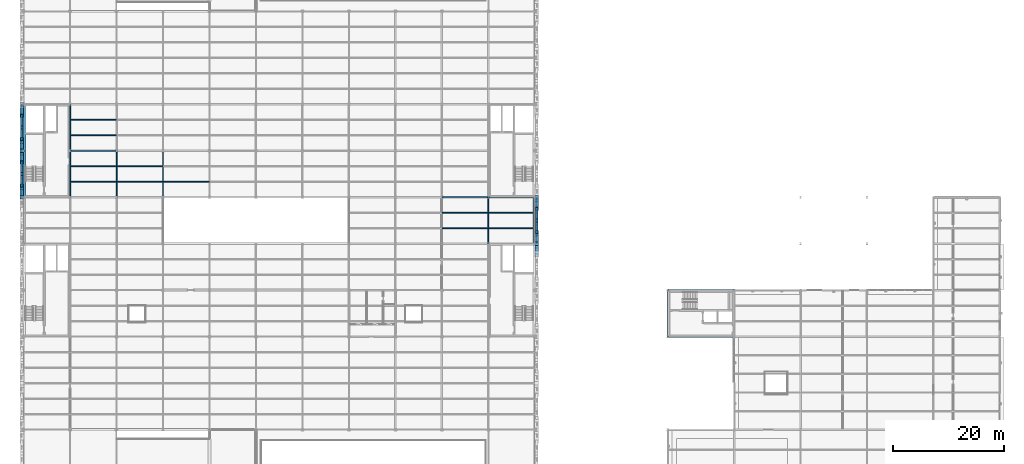
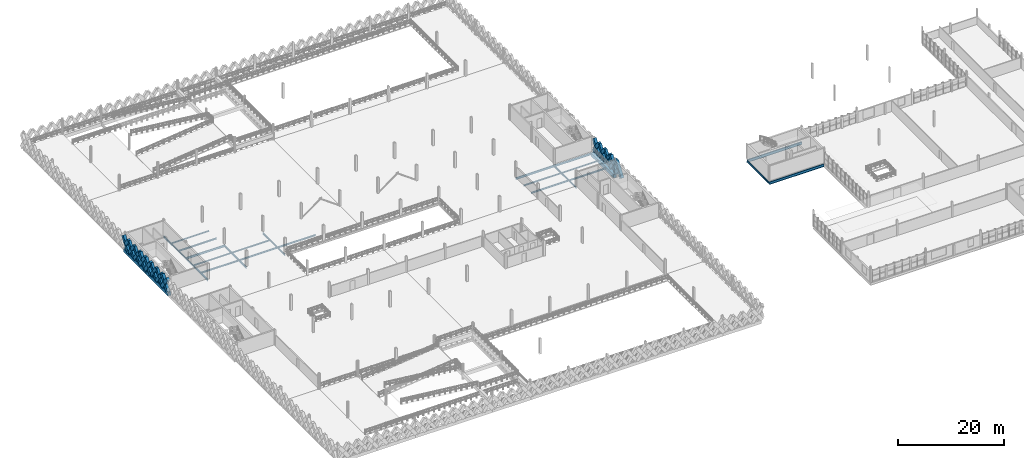
# One storey, part 27 of 79: 40 members, 25 beams.
"""IFC4 building model written with IfcOpenShell, lengths in metres."""

from ifc_helpers import new_model, si_unit, direction, frame, origin, origin_2d, place, context, subcontext, project, spatial, rectangle, hollow_rectangle, i_section, extrude, material, material_profile, profile_set, type_object, element, save


model = new_model("IFC4")

# Units and contexts
model_context = context("Model", 3, precision=1e-05, world=origin(), true_north=direction((0.0, 1.0)))
body_context = subcontext(model_context, "Body", "Model", "MODEL_VIEW")
ifc_project = project(units=[si_unit("LENGTHUNIT", "METRE"), si_unit("AREAUNIT", "SQUARE_METRE"), si_unit("VOLUMEUNIT", "CUBIC_METRE"), si_unit("PLANEANGLEUNIT", "RADIAN"), si_unit("MASSUNIT", "GRAM", prefix="KILO"), si_unit("THERMODYNAMICTEMPERATUREUNIT", "KELVIN"), si_unit("POWERUNIT", "WATT")], contexts=[model_context])

# Site, building, storey
site_placement = place(None, origin())
site = spatial("IfcSite", under=ifc_project, at=site_placement, CompositionType="ELEMENT")
building_placement = place(site_placement, origin())
building = spatial("IfcBuilding", under=site, at=building_placement, Name="Tembeka Court Mobility Hub", CompositionType="ELEMENT")
storey_placement = place(building_placement, frame((0.0, 0.0, 9.0)))
storey = spatial("IfcBuildingStorey", under=building, at=storey_placement, Name="L02", CompositionType="ELEMENT", Elevation=9.0)

# Beams
ifc_material_1 = material(Name="Steel S355", Category="steel")
ifc_material_profile_1 = material_profile(ifc_material_1, i_section(OverallWidth=0.18994140625, OverallDepth=0.45703125, WebThickness=0.009033203125, FlangeThickness=0.014404296875, FilletRadius=0.01025390625, at=origin_2d()), Name="UKB 457x191x74")
ifc_profile_set_1 = profile_set([ifc_material_profile_1], Name="Steel S355")
beam_type_1 = type_object("IfcBeamType", Name="BM-B01", PredefinedType="BEAM", material=ifc_profile_set_1)
for number, where, z_axis, x_axis, name in (
    (1, (75.60009765625, 63.60009765625, -0.448486328125), (1.0, 0.0, 0.0), (0.0, 1.0, 0.0), "Beam B01 (BM-L02-X1260)"),
    (2, (84.0, 63.60009765625, -0.448486328125), (1.0, 0.0, 0.0), (0.0, 1.0, 0.0), "Beam B01 (BM-L02-X1261)"),
):
    element("IfcBeam", number, at=place(storey_placement, frame(where, z_axis=z_axis, x_axis=x_axis)), inside=storey, type_object=beam_type_1, Name=name, PredefinedType="BEAM", context=body_context, shape_type="SweptSolid", body=[
        extrude(i_section(OverallWidth=0.18994140625, OverallDepth=0.45703125, WebThickness=0.009033203125, FlangeThickness=0.014404296875, FilletRadius=0.01025390625, at=origin_2d()), origin(), (0.0, 0.0, 1.0), 8.39990234375),
    ])
beam_1_placement = place(storey_placement, frame((8.39990234375, 72.0, -0.448486328125), z_axis=(1.0, 0.0, 0.0), x_axis=(0.0, 1.0, 0.0)))
element("IfcBeam", 3, at=beam_1_placement, inside=storey, type_object=beam_type_1, Name="Beam B01 (BM-L02-X1263)", PredefinedType="BEAM", context=body_context, shape_type="SweptSolid", body=[
    extrude(i_section(OverallWidth=0.18994140625, OverallDepth=0.45703125, WebThickness=0.009033203125, FlangeThickness=0.014404296875, FilletRadius=0.01025390625, at=origin_2d()), origin(), (0.0, 0.0, 1.0), 8.400146484375),
])
ifc_material_profile_2 = material_profile(ifc_material_1, i_section(OverallWidth=0.177978515625, OverallDepth=0.406005859375, WebThickness=0.0078125, FlangeThickness=0.0126953125, FilletRadius=0.01025390625, at=origin_2d()), Name="UKB 406x178x60")
ifc_profile_set_2 = profile_set([ifc_material_profile_2], Name="Steel S355")
beam_type_2 = type_object("IfcBeamType", Name="BM-B02", PredefinedType="BEAM", material=ifc_profile_set_2)
for number, where, z_axis, x_axis, name in (
    (4, (8.39990234375, 63.60009765625, -0.423095703125), (0.0, 1.0, 0.0), (-1.0, 0.0, 0.0), "Beam B02 (BM-L02-Y1324)"),
    (5, (8.39990234375, 72.0, -0.423095703125), (0.0, 1.0, 0.0), (-1.0, 0.0, 0.0), "Beam B02 (BM-L02-Y1325)"),
    (6, (16.800048828125, 63.60009765625, -0.423095703125), (0.0, 1.0, 0.0), (-1.0, 0.0, 0.0), "Beam B02 (BM-L02-Y1335)"),
    (7, (25.199951171875, 63.60009765625, -0.423095703125), (0.0, 1.0, 0.0), (-1.0, 0.0, 0.0), "Beam B02 (BM-L02-Y1344)"),
):
    element("IfcBeam", number, at=place(storey_placement, frame(where, z_axis=z_axis, x_axis=x_axis)), inside=storey, type_object=beam_type_2, Name=name, PredefinedType="BEAM", context=body_context, shape_type="SweptSolid", body=[
        extrude(i_section(OverallWidth=0.177978515625, OverallDepth=0.406005859375, WebThickness=0.0078125, FlangeThickness=0.0126953125, FilletRadius=0.01025390625, at=origin_2d()), origin(), (0.0, 0.0, 1.0), 8.39990234375),
    ])
for number, where, z_axis, x_axis, name in (
    (8, (84.0, 55.199951171875, -0.423095703125), (0.0, 1.0, 0.0), (-1.0, 0.0, 0.0), "Beam B02 (BM-L02-Y1395)"),
    (9, (116.39990234375, 38.39990234375, -0.39306640625), (0.0, 1.0, 0.0), (-1.0, 0.0, 0.0), "Beam B02 (BM-L02-Y1414)"),
):
    element("IfcBeam", number, at=place(storey_placement, frame(where, z_axis=z_axis, x_axis=x_axis)), inside=storey, type_object=beam_type_2, Name=name, PredefinedType="BEAM", context=body_context, shape_type="SweptSolid", body=[
        extrude(i_section(OverallWidth=0.177978515625, OverallDepth=0.406005859375, WebThickness=0.0078125, FlangeThickness=0.0126953125, FilletRadius=0.01025390625, at=origin_2d()), origin(), (0.0, 0.0, 1.0), 8.400146484375),
    ])
ifc_material_profile_3 = material_profile(ifc_material_1, i_section(OverallWidth=0.22900390625, OverallDepth=0.612060546875, WebThickness=0.011962890625, FlangeThickness=0.01953125, FilletRadius=0.0126953125, at=origin_2d()), Name="UKB 610x229x125")
ifc_profile_set_3 = profile_set([ifc_material_profile_3], Name="Steel S355")
beam_type_3 = type_object("IfcBeamType", Name="BM-G02", PredefinedType="USERDEFINED", material=ifc_profile_set_3)
for number, where, z_axis, x_axis, name in (
    (10, (116.39990234375, 38.39990234375, -0.49609375), (1.0, 0.0, 0.0), (0.0, 1.0, 0.0), "Beam G02 (BM-L02-X1220)"),
    (11, (116.39990234375, 46.800048828125, -0.49609375), (1.0, 0.0, 0.0), (0.0, 1.0, 0.0), "Beam G02 (BM-L02-X1234)"),
):
    element("IfcBeam", number, at=place(storey_placement, frame(where, z_axis=z_axis, x_axis=x_axis)), inside=storey, type_object=beam_type_3, Name=name, ObjectType="GIRDER", PredefinedType="USERDEFINED", context=body_context, shape_type="SweptSolid", body=[
        extrude(i_section(OverallWidth=0.22900390625, OverallDepth=0.612060546875, WebThickness=0.011962890625, FlangeThickness=0.01953125, FilletRadius=0.0126953125, at=origin_2d()), origin(), (0.0, 0.0, 1.0), 12.0),
    ])
ifc_material_profile_4 = material_profile(ifc_material_1, i_section(OverallWidth=0.1650390625, OverallDepth=0.303955078125, WebThickness=0.006103515625, FlangeThickness=0.01025390625, FilletRadius=0.0087890625, at=origin_2d()), Name="UKB 305x165x40")
ifc_profile_set_4 = profile_set([ifc_material_profile_4], Name="Steel S355")
beam_type_4 = type_object("IfcBeamType", Name="BM-J02", PredefinedType="JOIST", material=ifc_profile_set_4)
for number, where, z_axis, x_axis, name in (
    (12, (8.48388671875, 69.199951171875, -0.3720703125), (1.0, 0.0, 0.0), (0.0, 1.0, 0.0), "Beam J02 (JST-L02-1463)"),
    (13, (8.48388671875, 77.60009765625, -0.3720703125), (1.0, 0.0, 0.0), (0.0, 1.0, 0.0), "Beam J02 (JST-L02-1465)"),
):
    element("IfcBeam", number, at=place(storey_placement, frame(where, z_axis=z_axis, x_axis=x_axis)), inside=storey, type_object=beam_type_4, Name=name, PredefinedType="JOIST", context=body_context, shape_type="SweptSolid", body=[
        extrude(i_section(OverallWidth=0.1650390625, OverallDepth=0.303955078125, WebThickness=0.006103515625, FlangeThickness=0.01025390625, FilletRadius=0.0087890625, at=origin_2d()), origin(), (0.0, 0.0, 1.0), 8.232177734375),
    ])
for number, where, z_axis, x_axis, name in (
    (14, (16.884033203125, 69.199951171875, -0.3720703125), (1.0, 0.0, 0.0), (0.0, 1.0, 0.0), "Beam J02 (JST-L02-1483)"),
    (15, (75.68408203125, 60.800048828125, -0.3720703125), (1.0, 0.0, 0.0), (0.0, 1.0, 0.0), "Beam J02 (JST-L02-1613)"),
):
    element("IfcBeam", number, at=place(storey_placement, frame(where, z_axis=z_axis, x_axis=x_axis)), inside=storey, type_object=beam_type_4, Name=name, PredefinedType="JOIST", context=body_context, shape_type="SweptSolid", body=[
        extrude(i_section(OverallWidth=0.1650390625, OverallDepth=0.303955078125, WebThickness=0.006103515625, FlangeThickness=0.01025390625, FilletRadius=0.0087890625, at=origin_2d()), origin(), (0.0, 0.0, 1.0), 8.23193359375),
    ])
beam_2_placement = place(storey_placement, frame((84.083984375, 60.800048828125, -0.3720703125), z_axis=(1.0, 0.0, 0.0), x_axis=(0.0, 1.0, 0.0)))
element("IfcBeam", 16, at=beam_2_placement, inside=storey, type_object=beam_type_4, Name="Beam J02 (JST-L02-1629)", PredefinedType="JOIST", context=body_context, shape_type="SweptSolid", body=[
    extrude(i_section(OverallWidth=0.1650390625, OverallDepth=0.303955078125, WebThickness=0.006103515625, FlangeThickness=0.01025390625, FilletRadius=0.0087890625, at=origin_2d()), origin(), (0.0, 0.0, 1.0), 7.99609375),
])
ifc_material_profile_5 = material_profile(ifc_material_1, i_section(OverallWidth=0.169921875, OverallDepth=0.360107421875, WebThickness=0.008056640625, FlangeThickness=0.0126953125, FilletRadius=0.01806640625, at=origin_2d()), Name="IPE 360")
ifc_profile_set_5 = profile_set([ifc_material_profile_5], Name="Steel S355")
beam_type_5 = type_object("IfcBeamType", Name="BM-J03", PredefinedType="JOIST", material=ifc_profile_set_5)
for number, where, z_axis, x_axis, name in (
    (17, (8.48388671875, 66.39990234375, -0.39990234375), (1.0, 0.0, 0.0), (0.0, 1.0, 0.0), "Beam J03 (JST-L02-1462)"),
    (18, (8.48388671875, 74.800048828125, -0.39990234375), (1.0, 0.0, 0.0), (0.0, 1.0, 0.0), "Beam J03 (JST-L02-1464)"),
):
    element("IfcBeam", number, at=place(storey_placement, frame(where, z_axis=z_axis, x_axis=x_axis)), inside=storey, type_object=beam_type_5, Name=name, PredefinedType="JOIST", context=body_context, shape_type="SweptSolid", body=[
        extrude(i_section(OverallWidth=0.169921875, OverallDepth=0.360107421875, WebThickness=0.008056640625, FlangeThickness=0.0126953125, FilletRadius=0.01806640625, at=origin_2d()), origin(), (0.0, 0.0, 1.0), 8.232177734375),
    ])
beam_3_placement = place(storey_placement, frame((16.884033203125, 66.39990234375, -0.39990234375), z_axis=(1.0, 0.0, 0.0), x_axis=(0.0, 1.0, 0.0)))
element("IfcBeam", 19, at=beam_3_placement, inside=storey, type_object=beam_type_5, Name="Beam J03 (JST-L02-1482)", PredefinedType="JOIST", context=body_context, shape_type="SweptSolid", body=[
    extrude(i_section(OverallWidth=0.169921875, OverallDepth=0.360107421875, WebThickness=0.008056640625, FlangeThickness=0.0126953125, FilletRadius=0.01806640625, at=origin_2d()), origin(), (0.0, 0.0, 1.0), 8.23193359375),
])
beam_4_placement = place(storey_placement, frame((25.283935546875, 66.39990234375, -0.39990234375), z_axis=(1.0, 0.0, 0.0), x_axis=(0.0, 1.0, 0.0)))
element("IfcBeam", 20, at=beam_4_placement, inside=storey, type_object=beam_type_5, Name="Beam J03 (JST-L02-1500)", PredefinedType="JOIST", context=body_context, shape_type="SweptSolid", body=[
    extrude(i_section(OverallWidth=0.169921875, OverallDepth=0.360107421875, WebThickness=0.008056640625, FlangeThickness=0.0126953125, FilletRadius=0.01806640625, at=origin_2d()), origin(), (0.0, 0.0, 1.0), 8.232177734375),
])
beam_5_placement = place(storey_placement, frame((75.68408203125, 58.0, -0.39990234375), z_axis=(1.0, 0.0, 0.0), x_axis=(0.0, 1.0, 0.0)))
element("IfcBeam", 21, at=beam_5_placement, inside=storey, type_object=beam_type_5, Name="Beam J03 (JST-L02-1612)", PredefinedType="JOIST", context=body_context, shape_type="SweptSolid", body=[
    extrude(i_section(OverallWidth=0.169921875, OverallDepth=0.360107421875, WebThickness=0.008056640625, FlangeThickness=0.0126953125, FilletRadius=0.01806640625, at=origin_2d()), origin(), (0.0, 0.0, 1.0), 8.23193359375),
])
beam_6_placement = place(storey_placement, frame((84.083984375, 58.0, -0.39990234375), z_axis=(1.0, 0.0, 0.0), x_axis=(0.0, 1.0, 0.0)))
element("IfcBeam", 22, at=beam_6_placement, inside=storey, type_object=beam_type_5, Name="Beam J03 (JST-L02-1628)", PredefinedType="JOIST", context=body_context, shape_type="SweptSolid", body=[
    extrude(i_section(OverallWidth=0.169921875, OverallDepth=0.360107421875, WebThickness=0.008056640625, FlangeThickness=0.0126953125, FilletRadius=0.01806640625, at=origin_2d()), origin(), (0.0, 0.0, 1.0), 7.99609375),
])
ifc_material_2 = material(Name="Precast concrete C45/55", Category="concrete")
ifc_material_profile_6 = material_profile(ifc_material_2, rectangle(XDim=0.64990234375, YDim=0.800048828125, at=origin_2d()), Name="PC-SP 650x800")
ifc_profile_set_6 = profile_set([ifc_material_profile_6], Name="Precast concrete C45/55")
beam_type_6 = type_object("IfcBeamType", Name="BM-SP01", PredefinedType="SPANDREL", material=ifc_profile_set_6)
for number, where, z_axis, x_axis, name in (
    (23, (0.0, 63.60009765625, -0.6201171875), (0.0, 1.0, 0.0), (-1.0, 0.0, 0.0), "Beam SP01 (BM-L02-Y1313)"),
    (24, (0.0, 72.0, -0.6201171875), (0.0, 1.0, 0.0), (-1.0, 0.0, 0.0), "Beam SP01 (BM-L02-Y1314)"),
):
    element("IfcBeam", number, at=place(storey_placement, frame(where, z_axis=z_axis, x_axis=x_axis)), inside=storey, type_object=beam_type_6, Name=name, PredefinedType="SPANDREL", context=body_context, shape_type="SweptSolid", body=[
        extrude(rectangle(XDim=0.64990234375, YDim=0.800048828125, at=origin_2d()), origin(), (0.0, 0.0, 1.0), 8.39990234375),
    ])
beam_7_placement = place(storey_placement, frame((92.39990234375, 55.199951171875, -0.6201171875), z_axis=(0.0, 1.0, 0.0), x_axis=(-1.0, 0.0, 0.0)))
element("IfcBeam", 25, at=beam_7_placement, inside=storey, type_object=beam_type_6, Name="Beam SP01 (BM-L02-Y1406)", PredefinedType="SPANDREL", context=body_context, shape_type="SweptSolid", body=[
    extrude(rectangle(XDim=0.64990234375, YDim=0.800048828125, at=origin_2d()), origin(), (0.0, 0.0, 1.0), 8.400146484375),
])

# Members
ifc_material_profile_7 = material_profile(ifc_material_2, rectangle(XDim=0.5, YDim=0.64990234375, at=origin_2d()), Name="PC-DIAG 500x650")
ifc_profile_set_7 = profile_set([ifc_material_profile_7], Name="Precast concrete C45/55")
member_type_1 = type_object("IfcMemberType", Name="MEM-DL01", PredefinedType="BRACE", material=ifc_profile_set_7)
member_1_placement = place(storey_placement, frame((-0.340087890625, 65.699951171875, 0.02001953125), z_axis=(0.0, 0.582576362011, 0.812775973086), x_axis=(-1.0, 0.0, 0.0)))
element("IfcMember", 26, at=member_1_placement, inside=storey, type_object=member_type_1, Name="Precast diamond lattice continuous strand DL01 (L02-308C)", PredefinedType="BRACE", context=body_context, shape_type="SweptSolid", body=[
    extrude(rectangle(XDim=0.5, YDim=0.64990234375, at=origin_2d()), origin(), (0.0, 0.0, 1.0), 3.604736328125),
])
member_2_placement = place(storey_placement, frame((-0.340087890625, 67.800048828125, 0.02001953125), z_axis=(0.0, -0.582544294934, 0.812798956963), x_axis=(1.0, 0.0, 0.0)))
element("IfcMember", 27, at=member_2_placement, inside=storey, type_object=member_type_1, Name="Precast diamond lattice split lower strand DL01 (L02-308D1)", PredefinedType="BRACE", context=body_context, shape_type="SweptSolid", body=[
    extrude(rectangle(XDim=0.5, YDim=0.64990234375, at=origin_2d()), origin(), (0.0, 0.0, 1.0), 1.802490234375),
])
member_3_placement = place(storey_placement, frame((-0.340087890625, 66.75, 1.485107421875), z_axis=(0.0, -0.582608431711, 0.812752985414), x_axis=(1.0, 0.0, 0.0)))
element("IfcMember", 28, at=member_3_placement, inside=storey, type_object=member_type_1, Name="Precast diamond lattice split upper strand DL01 (L02-308D2)", PredefinedType="BRACE", context=body_context, shape_type="SweptSolid", body=[
    extrude(rectangle(XDim=0.5, YDim=0.64990234375, at=origin_2d()), origin(), (0.0, 0.0, 1.0), 1.80224609375),
])
member_4_placement = place(storey_placement, frame((-0.340087890625, 67.800048828125, 0.02001953125), z_axis=(0.0, 0.58253161945, 0.812808041509), x_axis=(-1.0, 0.0, 0.0)))
element("IfcMember", 29, at=member_4_placement, inside=storey, type_object=member_type_1, Name="Precast diamond lattice continuous strand DL01 (L02-309C)", PredefinedType="BRACE", context=body_context, shape_type="SweptSolid", body=[
    extrude(rectangle(XDim=0.5, YDim=0.64990234375, at=origin_2d()), origin(), (0.0, 0.0, 1.0), 3.604736328125),
])
member_5_placement = place(storey_placement, frame((-0.340087890625, 69.89990234375, 0.02001953125), z_axis=(0.0, -0.582454804382, 0.812863088627), x_axis=(1.0, 0.0, 0.0)))
element("IfcMember", 30, at=member_5_placement, inside=storey, type_object=member_type_1, Name="Precast diamond lattice split lower strand DL01 (L02-309D1)", PredefinedType="BRACE", context=body_context, shape_type="SweptSolid", body=[
    extrude(rectangle(XDim=0.5, YDim=0.64990234375, at=origin_2d()), origin(), (0.0, 0.0, 1.0), 1.802490234375),
])
member_6_placement = place(storey_placement, frame((-0.340087890625, 68.85009765625, 1.485107421875), z_axis=(0.0, -0.582608431711, 0.812752985414), x_axis=(1.0, 0.0, 0.0)))
element("IfcMember", 31, at=member_6_placement, inside=storey, type_object=member_type_1, Name="Precast diamond lattice split upper strand DL01 (L02-309D2)", PredefinedType="BRACE", context=body_context, shape_type="SweptSolid", body=[
    extrude(rectangle(XDim=0.5, YDim=0.64990234375, at=origin_2d()), origin(), (0.0, 0.0, 1.0), 1.80224609375),
])
member_7_placement = place(storey_placement, frame((-0.340087890625, 74.10009765625, 0.02001953125), z_axis=(0.0, 0.58253161945, 0.812808041509), x_axis=(-1.0, 0.0, 0.0)))
element("IfcMember", 32, at=member_7_placement, inside=storey, type_object=member_type_1, Name="Precast diamond lattice continuous strand DL01 (L02-312C)", PredefinedType="BRACE", context=body_context, shape_type="SweptSolid", body=[
    extrude(rectangle(XDim=0.5, YDim=0.64990234375, at=origin_2d()), origin(), (0.0, 0.0, 1.0), 3.604736328125),
])
member_8_placement = place(storey_placement, frame((-0.340087890625, 76.199951171875, 0.02001953125), z_axis=(0.0, -0.582544294934, 0.812798956963), x_axis=(1.0, 0.0, 0.0)))
element("IfcMember", 33, at=member_8_placement, inside=storey, type_object=member_type_1, Name="Precast diamond lattice split lower strand DL01 (L02-312D1)", PredefinedType="BRACE", context=body_context, shape_type="SweptSolid", body=[
    extrude(rectangle(XDim=0.5, YDim=0.64990234375, at=origin_2d()), origin(), (0.0, 0.0, 1.0), 1.802490234375),
])
member_9_placement = place(storey_placement, frame((-0.340087890625, 75.14990234375, 1.485107421875), z_axis=(0.0, -0.582518941428, 0.812817127574), x_axis=(1.0, 0.0, 0.0)))
element("IfcMember", 34, at=member_9_placement, inside=storey, type_object=member_type_1, Name="Precast diamond lattice split upper strand DL01 (L02-312D2)", PredefinedType="BRACE", context=body_context, shape_type="SweptSolid", body=[
    extrude(rectangle(XDim=0.5, YDim=0.64990234375, at=origin_2d()), origin(), (0.0, 0.0, 1.0), 1.80224609375),
])
member_10_placement = place(storey_placement, frame((-0.340087890625, 76.199951171875, 0.02001953125), z_axis=(0.0, 0.582576362011, 0.812775973086), x_axis=(-1.0, 0.0, 0.0)))
element("IfcMember", 35, at=member_10_placement, inside=storey, type_object=member_type_1, Name="Precast diamond lattice continuous strand DL01 (L02-313C)", PredefinedType="BRACE", context=body_context, shape_type="SweptSolid", body=[
    extrude(rectangle(XDim=0.5, YDim=0.64990234375, at=origin_2d()), origin(), (0.0, 0.0, 1.0), 3.604736328125),
])
member_11_placement = place(storey_placement, frame((-0.340087890625, 78.300048828125, 0.02001953125), z_axis=(0.0, -0.582544294934, 0.812798956963), x_axis=(1.0, 0.0, 0.0)))
element("IfcMember", 36, at=member_11_placement, inside=storey, type_object=member_type_1, Name="Precast diamond lattice split lower strand DL01 (L02-313D1)", PredefinedType="BRACE", context=body_context, shape_type="SweptSolid", body=[
    extrude(rectangle(XDim=0.5, YDim=0.64990234375, at=origin_2d()), origin(), (0.0, 0.0, 1.0), 1.802490234375),
])
member_12_placement = place(storey_placement, frame((-0.340087890625, 77.25, 1.485107421875), z_axis=(0.0, -0.582608431711, 0.812752985414), x_axis=(1.0, 0.0, 0.0)))
element("IfcMember", 37, at=member_12_placement, inside=storey, type_object=member_type_1, Name="Precast diamond lattice split upper strand DL01 (L02-313D2)", PredefinedType="BRACE", context=body_context, shape_type="SweptSolid", body=[
    extrude(rectangle(XDim=0.5, YDim=0.64990234375, at=origin_2d()), origin(), (0.0, 0.0, 1.0), 1.80224609375),
])
member_13_placement = place(storey_placement, frame((92.739990234375, 57.300048828125, 0.02001953125), z_axis=(0.0, 0.58253161945, 0.812808041509), x_axis=(-1.0, 0.0, 0.0)))
element("IfcMember", 38, at=member_13_placement, inside=storey, type_object=member_type_1, Name="Precast diamond lattice continuous strand DL01 (L02-360C)", PredefinedType="BRACE", context=body_context, shape_type="SweptSolid", body=[
    extrude(rectangle(XDim=0.5, YDim=0.64990234375, at=origin_2d()), origin(), (0.0, 0.0, 1.0), 3.604736328125),
])
member_14_placement = place(storey_placement, frame((92.739990234375, 59.39990234375, 0.02001953125), z_axis=(0.0, -0.582454804382, 0.812863088627), x_axis=(1.0, 0.0, 0.0)))
element("IfcMember", 39, at=member_14_placement, inside=storey, type_object=member_type_1, Name="Precast diamond lattice split lower strand DL01 (L02-360D1)", PredefinedType="BRACE", context=body_context, shape_type="SweptSolid", body=[
    extrude(rectangle(XDim=0.5, YDim=0.64990234375, at=origin_2d()), origin(), (0.0, 0.0, 1.0), 1.802490234375),
])
member_15_placement = place(storey_placement, frame((92.739990234375, 58.35009765625, 1.485107421875), z_axis=(0.0, -0.582608431711, 0.812752985414), x_axis=(1.0, 0.0, 0.0)))
element("IfcMember", 40, at=member_15_placement, inside=storey, type_object=member_type_1, Name="Precast diamond lattice split upper strand DL01 (L02-360D2)", PredefinedType="BRACE", context=body_context, shape_type="SweptSolid", body=[
    extrude(rectangle(XDim=0.5, YDim=0.64990234375, at=origin_2d()), origin(), (0.0, 0.0, 1.0), 1.80224609375),
])
member_16_placement = place(storey_placement, frame((92.739990234375, 59.39990234375, 0.02001953125), z_axis=(0.0, 0.582576362011, 0.812775973086), x_axis=(-1.0, 0.0, 0.0)))
element("IfcMember", 41, at=member_16_placement, inside=storey, type_object=member_type_1, Name="Precast diamond lattice continuous strand DL01 (L02-361C)", PredefinedType="BRACE", context=body_context, shape_type="SweptSolid", body=[
    extrude(rectangle(XDim=0.5, YDim=0.64990234375, at=origin_2d()), origin(), (0.0, 0.0, 1.0), 3.604736328125),
])
member_17_placement = place(storey_placement, frame((92.739990234375, 61.5, 0.02001953125), z_axis=(0.0, -0.582544294934, 0.812798956963), x_axis=(1.0, 0.0, 0.0)))
element("IfcMember", 42, at=member_17_placement, inside=storey, type_object=member_type_1, Name="Precast diamond lattice split lower strand DL01 (L02-361D1)", PredefinedType="BRACE", context=body_context, shape_type="SweptSolid", body=[
    extrude(rectangle(XDim=0.5, YDim=0.64990234375, at=origin_2d()), origin(), (0.0, 0.0, 1.0), 1.802490234375),
])
member_18_placement = place(storey_placement, frame((92.739990234375, 60.449951171875, 1.485107421875), z_axis=(0.0, -0.582608431711, 0.812752985414), x_axis=(1.0, 0.0, 0.0)))
element("IfcMember", 43, at=member_18_placement, inside=storey, type_object=member_type_1, Name="Precast diamond lattice split upper strand DL01 (L02-361D2)", PredefinedType="BRACE", context=body_context, shape_type="SweptSolid", body=[
    extrude(rectangle(XDim=0.5, YDim=0.64990234375, at=origin_2d()), origin(), (0.0, 0.0, 1.0), 1.80224609375),
])
ifc_material_profile_8 = material_profile(ifc_material_2, rectangle(XDim=0.60009765625, YDim=0.75, at=origin_2d()), Name="PC-DIAG 600x750")
ifc_profile_set_8 = profile_set([ifc_material_profile_8], Name="Precast concrete C45/55")
member_type_2 = type_object("IfcMemberType", Name="MEM-DL02", PredefinedType="BRACE", material=ifc_profile_set_8)
member_19_placement = place(storey_placement, frame((-0.340087890625, 63.60009765625, 0.02001953125), z_axis=(0.0, 0.58253161945, 0.812808041509), x_axis=(-1.0, 0.0, 0.0)))
element("IfcMember", 44, at=member_19_placement, inside=storey, type_object=member_type_2, Name="Precast diamond lattice continuous strand DL02 (L02-307C)", PredefinedType="BRACE", context=body_context, shape_type="SweptSolid", body=[
    extrude(rectangle(XDim=0.60009765625, YDim=0.75, at=origin_2d()), origin(), (0.0, 0.0, 1.0), 3.604736328125),
])
member_20_placement = place(storey_placement, frame((-0.340087890625, 65.699951171875, 0.02001953125), z_axis=(0.0, -0.582544294934, 0.812798956963), x_axis=(1.0, 0.0, 0.0)))
element("IfcMember", 45, at=member_20_placement, inside=storey, type_object=member_type_2, Name="Precast diamond lattice split lower strand DL02 (L02-307D1)", PredefinedType="BRACE", context=body_context, shape_type="SweptSolid", body=[
    extrude(rectangle(XDim=0.60009765625, YDim=0.75, at=origin_2d()), origin(), (0.0, 0.0, 1.0), 1.802490234375),
])
member_21_placement = place(storey_placement, frame((-0.340087890625, 64.64990234375, 1.485107421875), z_axis=(0.0, -0.582518941428, 0.812817127574), x_axis=(1.0, 0.0, 0.0)))
element("IfcMember", 46, at=member_21_placement, inside=storey, type_object=member_type_2, Name="Precast diamond lattice split upper strand DL02 (L02-307D2)", PredefinedType="BRACE", context=body_context, shape_type="SweptSolid", body=[
    extrude(rectangle(XDim=0.60009765625, YDim=0.75, at=origin_2d()), origin(), (0.0, 0.0, 1.0), 1.80224609375),
])
member_22_placement = place(storey_placement, frame((-0.340087890625, 69.89990234375, 0.02001953125), z_axis=(0.0, 0.582576362011, 0.812775973086), x_axis=(-1.0, 0.0, 0.0)))
element("IfcMember", 47, at=member_22_placement, inside=storey, type_object=member_type_2, Name="Precast diamond lattice continuous strand DL02 (L02-310C)", PredefinedType="BRACE", context=body_context, shape_type="SweptSolid", body=[
    extrude(rectangle(XDim=0.60009765625, YDim=0.75, at=origin_2d()), origin(), (0.0, 0.0, 1.0), 3.604736328125),
])
member_23_placement = place(storey_placement, frame((-0.340087890625, 72.0, 0.02001953125), z_axis=(0.0, -0.582544294934, 0.812798956963), x_axis=(1.0, 0.0, 0.0)))
element("IfcMember", 48, at=member_23_placement, inside=storey, type_object=member_type_2, Name="Precast diamond lattice split lower strand DL02 (L02-310D1)", PredefinedType="BRACE", context=body_context, shape_type="SweptSolid", body=[
    extrude(rectangle(XDim=0.60009765625, YDim=0.75, at=origin_2d()), origin(), (0.0, 0.0, 1.0), 1.802490234375),
])
member_24_placement = place(storey_placement, frame((-0.340087890625, 70.949951171875, 1.485107421875), z_axis=(0.0, -0.582608431711, 0.812752985414), x_axis=(1.0, 0.0, 0.0)))
element("IfcMember", 49, at=member_24_placement, inside=storey, type_object=member_type_2, Name="Precast diamond lattice split upper strand DL02 (L02-310D2)", PredefinedType="BRACE", context=body_context, shape_type="SweptSolid", body=[
    extrude(rectangle(XDim=0.60009765625, YDim=0.75, at=origin_2d()), origin(), (0.0, 0.0, 1.0), 1.80224609375),
])
member_25_placement = place(storey_placement, frame((-0.340087890625, 72.0, 0.02001953125), z_axis=(0.0, 0.582576362011, 0.812775973086), x_axis=(-1.0, 0.0, 0.0)))
element("IfcMember", 50, at=member_25_placement, inside=storey, type_object=member_type_2, Name="Precast diamond lattice continuous strand DL02 (L02-311C)", PredefinedType="BRACE", context=body_context, shape_type="SweptSolid", body=[
    extrude(rectangle(XDim=0.60009765625, YDim=0.75, at=origin_2d()), origin(), (0.0, 0.0, 1.0), 3.604736328125),
])
member_26_placement = place(storey_placement, frame((-0.340087890625, 74.10009765625, 0.02001953125), z_axis=(0.0, -0.582544294934, 0.812798956963), x_axis=(1.0, 0.0, 0.0)))
element("IfcMember", 51, at=member_26_placement, inside=storey, type_object=member_type_2, Name="Precast diamond lattice split lower strand DL02 (L02-311D1)", PredefinedType="BRACE", context=body_context, shape_type="SweptSolid", body=[
    extrude(rectangle(XDim=0.60009765625, YDim=0.75, at=origin_2d()), origin(), (0.0, 0.0, 1.0), 1.802490234375),
])
member_27_placement = place(storey_placement, frame((-0.340087890625, 73.050048828125, 1.485107421875), z_axis=(0.0, -0.582608431711, 0.812752985414), x_axis=(1.0, 0.0, 0.0)))
element("IfcMember", 52, at=member_27_placement, inside=storey, type_object=member_type_2, Name="Precast diamond lattice split upper strand DL02 (L02-311D2)", PredefinedType="BRACE", context=body_context, shape_type="SweptSolid", body=[
    extrude(rectangle(XDim=0.60009765625, YDim=0.75, at=origin_2d()), origin(), (0.0, 0.0, 1.0), 1.80224609375),
])
member_28_placement = place(storey_placement, frame((-0.340087890625, 78.300048828125, 0.02001953125), z_axis=(0.0, 0.58253161945, 0.812808041509), x_axis=(-1.0, 0.0, 0.0)))
element("IfcMember", 53, at=member_28_placement, inside=storey, type_object=member_type_2, Name="Precast diamond lattice continuous strand DL02 (L02-314C)", PredefinedType="BRACE", context=body_context, shape_type="SweptSolid", body=[
    extrude(rectangle(XDim=0.60009765625, YDim=0.75, at=origin_2d()), origin(), (0.0, 0.0, 1.0), 3.604736328125),
])
member_29_placement = place(storey_placement, frame((-0.340087890625, 79.35009765625, 1.485107421875), z_axis=(0.0, -0.582608431711, 0.812752985414), x_axis=(1.0, 0.0, 0.0)))
element("IfcMember", 54, at=member_29_placement, inside=storey, type_object=member_type_2, Name="Precast diamond lattice split upper strand DL02 (L02-314D2)", PredefinedType="BRACE", context=body_context, shape_type="SweptSolid", body=[
    extrude(rectangle(XDim=0.60009765625, YDim=0.75, at=origin_2d()), origin(), (0.0, 0.0, 1.0), 1.80224609375),
])
member_30_placement = place(storey_placement, frame((92.739990234375, 53.10009765625, 0.02001953125), z_axis=(0.0, 0.58253161945, 0.812808041509), x_axis=(-1.0, 0.0, 0.0)))
element("IfcMember", 55, at=member_30_placement, inside=storey, type_object=member_type_2, Name="Precast diamond lattice continuous strand DL02 (L02-358C)", PredefinedType="BRACE", context=body_context, shape_type="SweptSolid", body=[
    extrude(rectangle(XDim=0.60009765625, YDim=0.75, at=origin_2d()), origin(), (0.0, 0.0, 1.0), 3.604736328125),
])
member_31_placement = place(storey_placement, frame((92.739990234375, 55.199951171875, 0.02001953125), z_axis=(0.0, -0.582544294934, 0.812798956963), x_axis=(1.0, 0.0, 0.0)))
element("IfcMember", 56, at=member_31_placement, inside=storey, type_object=member_type_2, Name="Precast diamond lattice split lower strand DL02 (L02-358D1)", PredefinedType="BRACE", context=body_context, shape_type="SweptSolid", body=[
    extrude(rectangle(XDim=0.60009765625, YDim=0.75, at=origin_2d()), origin(), (0.0, 0.0, 1.0), 1.802490234375),
])
member_32_placement = place(storey_placement, frame((92.739990234375, 55.199951171875, 0.02001953125), z_axis=(0.0, 0.582576362011, 0.812775973086), x_axis=(-1.0, 0.0, 0.0)))
element("IfcMember", 57, at=member_32_placement, inside=storey, type_object=member_type_2, Name="Precast diamond lattice continuous strand DL02 (L02-359C)", PredefinedType="BRACE", context=body_context, shape_type="SweptSolid", body=[
    extrude(rectangle(XDim=0.60009765625, YDim=0.75, at=origin_2d()), origin(), (0.0, 0.0, 1.0), 3.604736328125),
])
member_33_placement = place(storey_placement, frame((92.739990234375, 57.300048828125, 0.02001953125), z_axis=(0.0, -0.582544294934, 0.812798956963), x_axis=(1.0, 0.0, 0.0)))
element("IfcMember", 58, at=member_33_placement, inside=storey, type_object=member_type_2, Name="Precast diamond lattice split lower strand DL02 (L02-359D1)", PredefinedType="BRACE", context=body_context, shape_type="SweptSolid", body=[
    extrude(rectangle(XDim=0.60009765625, YDim=0.75, at=origin_2d()), origin(), (0.0, 0.0, 1.0), 1.802490234375),
])
member_34_placement = place(storey_placement, frame((92.739990234375, 56.25, 1.485107421875), z_axis=(0.0, -0.582608431711, 0.812752985414), x_axis=(1.0, 0.0, 0.0)))
element("IfcMember", 59, at=member_34_placement, inside=storey, type_object=member_type_2, Name="Precast diamond lattice split upper strand DL02 (L02-359D2)", PredefinedType="BRACE", context=body_context, shape_type="SweptSolid", body=[
    extrude(rectangle(XDim=0.60009765625, YDim=0.75, at=origin_2d()), origin(), (0.0, 0.0, 1.0), 1.80224609375),
])
member_35_placement = place(storey_placement, frame((92.739990234375, 61.5, 0.02001953125), z_axis=(0.0, 0.582576362011, 0.812775973086), x_axis=(-1.0, 0.0, 0.0)))
element("IfcMember", 60, at=member_35_placement, inside=storey, type_object=member_type_2, Name="Precast diamond lattice continuous strand DL02 (L02-362C)", PredefinedType="BRACE", context=body_context, shape_type="SweptSolid", body=[
    extrude(rectangle(XDim=0.60009765625, YDim=0.75, at=origin_2d()), origin(), (0.0, 0.0, 1.0), 3.604736328125),
])
member_36_placement = place(storey_placement, frame((92.739990234375, 63.60009765625, 0.02001953125), z_axis=(0.0, -0.582544294934, 0.812798956963), x_axis=(1.0, 0.0, 0.0)))
element("IfcMember", 61, at=member_36_placement, inside=storey, type_object=member_type_2, Name="Precast diamond lattice split lower strand DL02 (L02-362D1)", PredefinedType="BRACE", context=body_context, shape_type="SweptSolid", body=[
    extrude(rectangle(XDim=0.60009765625, YDim=0.75, at=origin_2d()), origin(), (0.0, 0.0, 1.0), 1.802490234375),
])
member_37_placement = place(storey_placement, frame((92.739990234375, 62.550048828125, 1.485107421875), z_axis=(0.0, -0.582608431711, 0.812752985414), x_axis=(1.0, 0.0, 0.0)))
element("IfcMember", 62, at=member_37_placement, inside=storey, type_object=member_type_2, Name="Precast diamond lattice split upper strand DL02 (L02-362D2)", PredefinedType="BRACE", context=body_context, shape_type="SweptSolid", body=[
    extrude(rectangle(XDim=0.60009765625, YDim=0.75, at=origin_2d()), origin(), (0.0, 0.0, 1.0), 1.80224609375),
])
ifc_material_profile_9 = material_profile(ifc_material_1, hollow_rectangle(XDim=0.14990234375, YDim=0.300048828125, WallThickness=0.010009765625, at=origin_2d()), Name="RHS 300x150x10")
ifc_profile_set_9 = profile_set([ifc_material_profile_9], Name="Steel S355")
member_type_3 = type_object("IfcMemberType", Name="MEM-ST03", PredefinedType="STRUT", material=ifc_profile_set_9)
member_38_placement = place(storey_placement, frame((92.739990234375, 55.199951171875, 0.02001953125), z_axis=(0.0, 1.0, 0.0), x_axis=(-1.0, 0.0, 0.0)))
element("IfcMember", 63, at=member_38_placement, inside=storey, type_object=member_type_3, Name="Proud lattice sill tie chord SR03 (L02-E-55)", PredefinedType="STRUT", context=body_context, shape_type="SweptSolid", body=[
    extrude(hollow_rectangle(XDim=0.14990234375, YDim=0.300048828125, WallThickness=0.010009765625, at=origin_2d()), origin(), (0.0, 0.0, 1.0), 8.400146484375),
])
for number, where, z_axis, x_axis, name in (
    (64, (-0.340087890625, 63.60009765625, 0.02001953125), (0.0, 1.0, 0.0), (-1.0, 0.0, 0.0), "Proud lattice sill tie chord SR03 (L02-W-63)"),
    (65, (-0.340087890625, 72.0, 0.02001953125), (0.0, 1.0, 0.0), (-1.0, 0.0, 0.0), "Proud lattice sill tie chord SR03 (L02-W-72)"),
):
    element("IfcMember", number, at=place(storey_placement, frame(where, z_axis=z_axis, x_axis=x_axis)), inside=storey, type_object=member_type_3, Name=name, PredefinedType="STRUT", context=body_context, shape_type="SweptSolid", body=[
        extrude(hollow_rectangle(XDim=0.14990234375, YDim=0.300048828125, WallThickness=0.010009765625, at=origin_2d()), origin(), (0.0, 0.0, 1.0), 8.39990234375),
    ])

save(model, "model.ifc")
